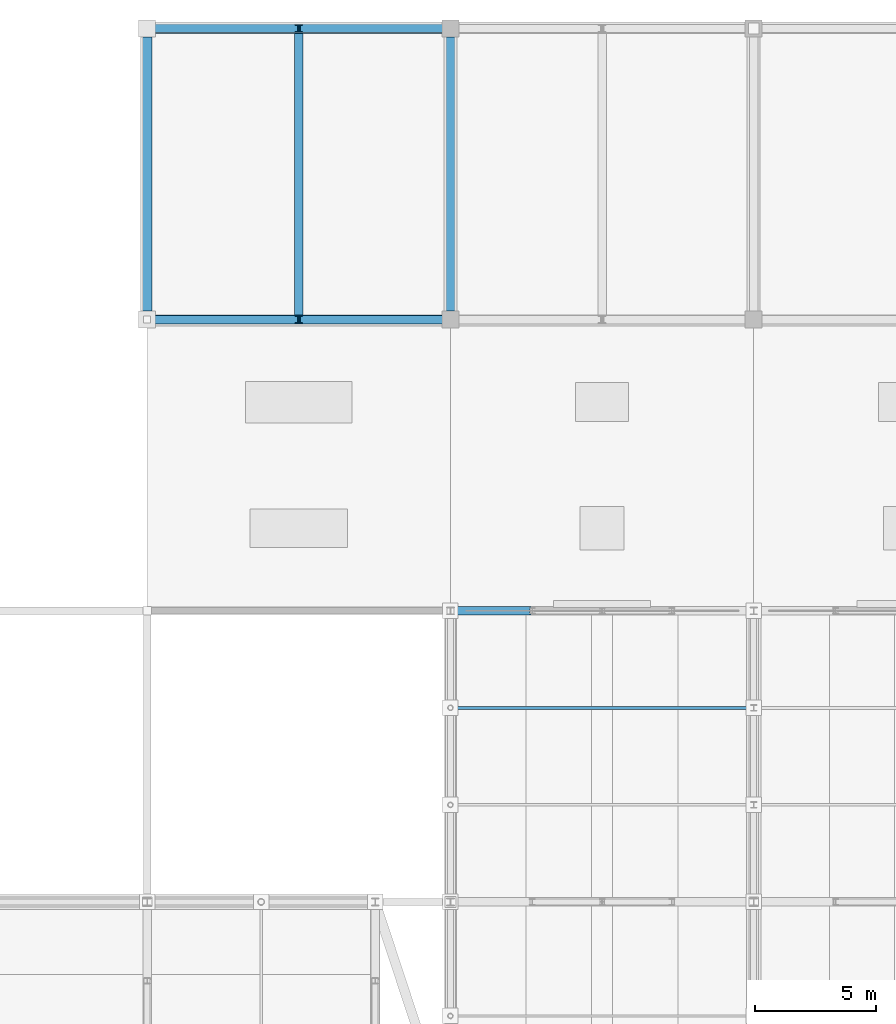
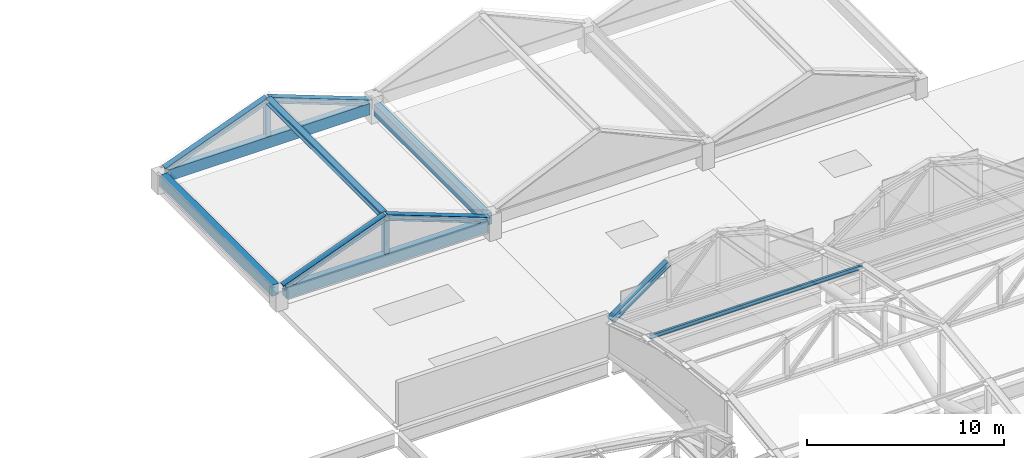
# One storey, part 79 of 117: 9 members, 4 beams.
"""IFC4 building model written with IfcOpenShell, lengths in metres."""

from ifc_helpers import new_model, si_unit, direction, frame, origin, origin_2d, place, context, subcontext, project, spatial, rectangle, i_section, extrude, material, material_profile, profile_set, type_object, element, save


model = new_model("IFC4")

# Units and contexts
model_context = context("Model", 3, precision=1e-05, world=origin(), true_north=direction((0.0, 1.0)))
body_context = subcontext(model_context, "Body", "Model", "MODEL_VIEW")
ifc_project = project(units=[si_unit("LENGTHUNIT", "METRE"), si_unit("AREAUNIT", "SQUARE_METRE"), si_unit("VOLUMEUNIT", "CUBIC_METRE"), si_unit("PLANEANGLEUNIT", "RADIAN"), si_unit("MASSUNIT", "GRAM", prefix="KILO")], contexts=[model_context])

# Site, building, storey
site_placement = place(None, origin())
site = spatial("IfcSite", under=ifc_project, at=site_placement, CompositionType="ELEMENT")
building_placement = place(site_placement, origin())
building = spatial("IfcBuilding", under=site, at=building_placement, Name="Kazenohara Klinker Stadium", CompositionType="ELEMENT")
storey_placement = place(building_placement, frame((0.0, 0.0, 31.199951171875)))
storey = spatial("IfcBuildingStorey", under=building, at=storey_placement, Name="RF", CompositionType="ELEMENT", Elevation=31.199951171875)

# Beams
ifc_material_1 = material(Name="Concrete C40/50", Category="concrete")
ifc_material_profile_1 = material_profile(ifc_material_1, rectangle(XDim=0.39990234375, YDim=0.699951171875, at=origin_2d()), Name="RC-BM-400x700")
ifc_profile_set_1 = profile_set([ifc_material_profile_1], Name="Concrete C40/50")
beam_type = type_object("IfcBeamType", Name="BM-RC04", PredefinedType="BEAM", material=ifc_profile_set_1)
for number, where, z_axis, x_axis, name in (
    (1, (49.35009765625, 156.0, 0.85009765625), (1.0, 0.0, 0.0), (0.0, 1.0, 0.0), "Turret crown eave girder BG04 RF X4-13"),
    (2, (49.35009765625, 168.0, 0.85009765625), (1.0, 0.0, 0.0), (0.0, 1.0, 0.0), "Turret crown eave girder BG04 RF X4-14"),
):
    element("IfcBeam", number, at=place(storey_placement, frame(where, z_axis=z_axis, x_axis=x_axis)), inside=storey, type_object=beam_type, Name=name, PredefinedType="BEAM", context=body_context, shape_type="SweptSolid", body=[
        extrude(rectangle(XDim=0.39990234375, YDim=0.699951171875, at=origin_2d()), origin(), (0.0, 0.0, 1.0), 11.7998046875),
    ])
for number, where, z_axis, x_axis, name in (
    (3, (49.0, 156.35009765625, 0.85009765625), (0.0, 1.0, 0.0), (-1.0, 0.0, 0.0), "Turret crown eave girder BG04 RF Y4-13"),
    (4, (61.5, 156.35009765625, 0.85009765625), (0.0, 1.0, 0.0), (-1.0, 0.0, 0.0), "Turret crown eave girder BG04 RF Y5-13"),
):
    element("IfcBeam", number, at=place(storey_placement, frame(where, z_axis=z_axis, x_axis=x_axis)), inside=storey, type_object=beam_type, Name=name, PredefinedType="BEAM", context=body_context, shape_type="SweptSolid", body=[
        extrude(rectangle(XDim=0.39990234375, YDim=0.699951171875, at=origin_2d()), origin(), (0.0, 0.0, 1.0), 11.2998046875),
    ])

# Members
ifc_material_2 = material(Name="Steel S355", Category="steel")
ifc_material_profile_2 = material_profile(ifc_material_2, i_section(OverallWidth=0.35009765625, OverallDepth=0.35009765625, WebThickness=0.011962890625, FlangeThickness=0.01904296875, FilletRadius=0.012939453125, at=origin_2d()), Name="H-350x350x12x19")
ifc_profile_set_2 = profile_set([ifc_material_profile_2], Name="Steel S355")
member_type_1 = type_object("IfcMemberType", Name="MEM-CHD02", PredefinedType="CHORD", material=ifc_profile_set_2)
for number, where, z_axis, x_axis, name in (
    (5, (49.25, 156.0, 1.179931640625), (0.935299193923, 0.0, 0.353857906295), (0.0, 1.0, 0.0), "Crown gable rafter NBST-04 S West"),
    (6, (61.25, 156.0, 1.179931640625), (-0.935299193923, 0.0, 0.353857906295), (0.0, -1.0, 0.0), "Crown gable rafter NBST-04 S East"),
    (7, (49.25, 168.0, 1.179931640625), (0.935299193923, 0.0, 0.353857906295), (0.0, 1.0, 0.0), "Crown gable rafter NBST-04 N West"),
    (8, (61.25, 168.0, 1.179931640625), (-0.935299193923, 0.0, 0.353857906295), (0.0, -1.0, 0.0), "Crown gable rafter NBST-04 N East"),
):
    element("IfcMember", number, at=place(storey_placement, frame(where, z_axis=z_axis, x_axis=x_axis)), inside=storey, type_object=member_type_1, Name=name, PredefinedType="CHORD", context=body_context, shape_type="SweptSolid", body=[
        extrude(i_section(OverallWidth=0.35009765625, OverallDepth=0.35009765625, WebThickness=0.011962890625, FlangeThickness=0.01904296875, FilletRadius=0.012939453125, at=origin_2d()), origin(), (0.0, 0.0, 1.0), 6.4150390625),
    ])
member_1_placement = place(storey_placement, frame((55.25, 156.14990234375, 3.449951171875), z_axis=(0.0, 1.0, 0.0), x_axis=(-1.0, 0.0, 0.0)))
element("IfcMember", 9, at=member_1_placement, inside=storey, type_object=member_type_1, Name="Crown ridge beam NBST-04", PredefinedType="CHORD", context=body_context, shape_type="SweptSolid", body=[
    extrude(i_section(OverallWidth=0.35009765625, OverallDepth=0.35009765625, WebThickness=0.011962890625, FlangeThickness=0.01904296875, FilletRadius=0.012939453125, at=origin_2d()), origin(), (0.0, 0.0, 1.0), 11.7001953125),
])
member_2_placement = place(storey_placement, frame((61.5, 144.0, 2.10009765625), z_axis=(0.814966461491, 0.0, 0.579508124744), x_axis=(0.0, 1.0, 0.0)))
element("IfcMember", 10, at=member_2_placement, inside=storey, type_object=member_type_1, Name="Barrel arch top rib TC02 N-01-N0-S1", PredefinedType="CHORD", context=body_context, shape_type="SweptSolid", body=[
    extrude(i_section(OverallWidth=0.35009765625, OverallDepth=0.35009765625, WebThickness=0.011962890625, FlangeThickness=0.01904296875, FilletRadius=0.012939453125, at=origin_2d()), origin(), (0.0, 0.0, 1.0), 4.141357421875),
])
ifc_material_profile_3 = material_profile(ifc_material_2, i_section(OverallWidth=0.125, OverallDepth=0.25, WebThickness=0.006103515625, FlangeThickness=0.009033203125, FilletRadius=0.008056640625, at=origin_2d()), Name="H-250x125x6x9")
ifc_profile_set_3 = profile_set([ifc_material_profile_3], Name="Steel S355")
member_type_2 = type_object("IfcMemberType", Name="MEM-PUR01", PredefinedType="PURLIN", material=ifc_profile_set_3)
member_3_placement = place(storey_placement, frame((61.5, 140.0, 3.469970703125), z_axis=(1.0, 0.0, 0.0), x_axis=(0.0, 1.0, 0.0)))
element("IfcMember", 11, at=member_3_placement, inside=storey, type_object=member_type_2, Name="Canopy valley tie purlin PR01 N-01-N1", PredefinedType="PURLIN", context=body_context, shape_type="SweptSolid", body=[
    extrude(i_section(OverallWidth=0.125, OverallDepth=0.25, WebThickness=0.006103515625, FlangeThickness=0.009033203125, FilletRadius=0.008056640625, at=origin_2d()), origin(), (0.0, 0.0, 1.0), 12.5),
])
ifc_material_profile_4 = material_profile(ifc_material_2, i_section(OverallWidth=0.300048828125, OverallDepth=0.300048828125, WebThickness=0.010009765625, FlangeThickness=0.014892578125, FilletRadius=0.012939453125, at=origin_2d()), Name="H-300x300x10x15")
ifc_profile_set_4 = profile_set([ifc_material_profile_4], Name="Steel S355")
member_type_3 = type_object("IfcMemberType", Name="MEM-STR01", PredefinedType="STRUT", material=ifc_profile_set_4)
for number, where, z_axis, x_axis, name in (
    (12, (55.25, 156.0, 1.179931640625), (0.0, 0.0, 1.0), (1.0, 0.0, 0.0), "Crown gable king-post NBST-04 S"),
    (13, (55.25, 168.0, 1.179931640625), (0.0, 0.0, 1.0), (1.0, 0.0, 0.0), "Crown gable king-post NBST-04 N"),
):
    element("IfcMember", number, at=place(storey_placement, frame(where, z_axis=z_axis, x_axis=x_axis)), inside=storey, type_object=member_type_3, Name=name, PredefinedType="STRUT", context=body_context, shape_type="SweptSolid", body=[
        extrude(i_section(OverallWidth=0.300048828125, OverallDepth=0.300048828125, WebThickness=0.010009765625, FlangeThickness=0.014892578125, FilletRadius=0.012939453125, at=origin_2d()), origin(), (0.0, 0.0, 1.0), 2.27001953125),
    ])

save(model, "model.ifc")
